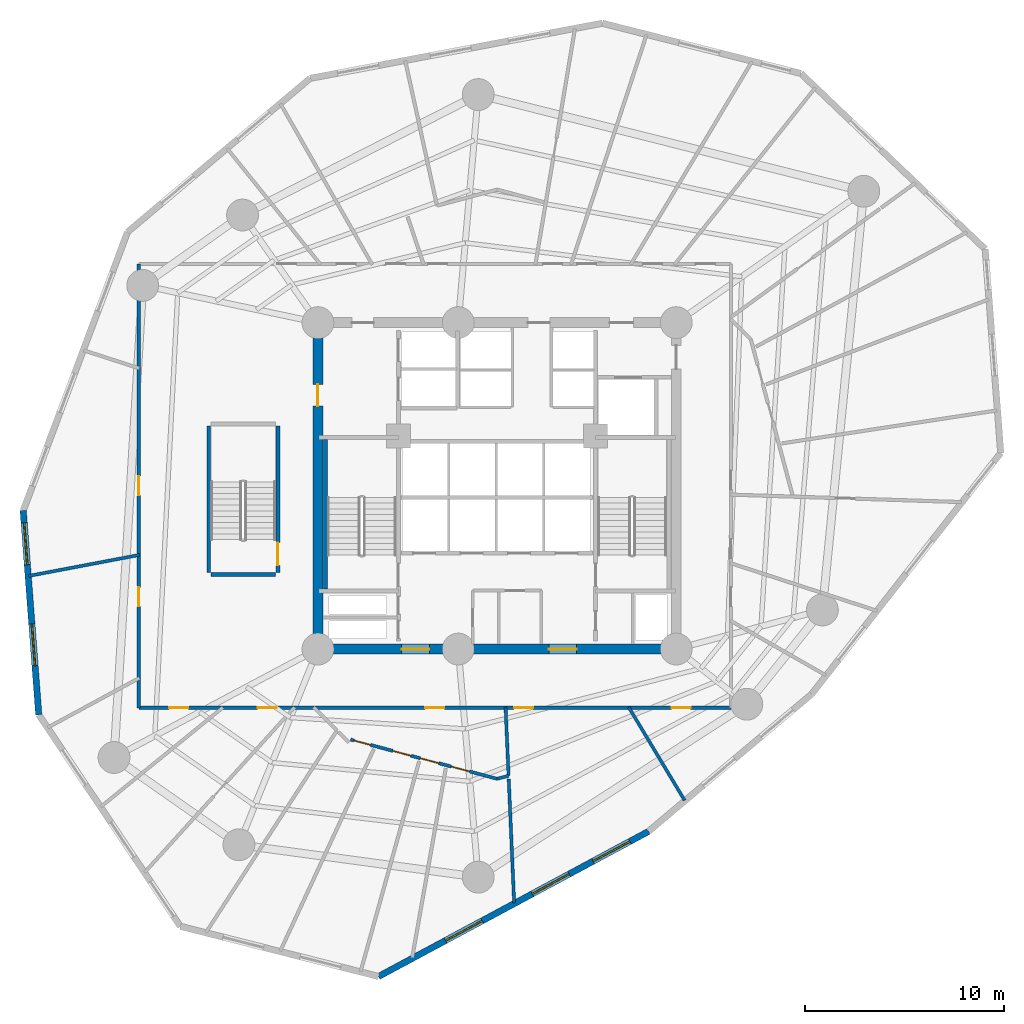
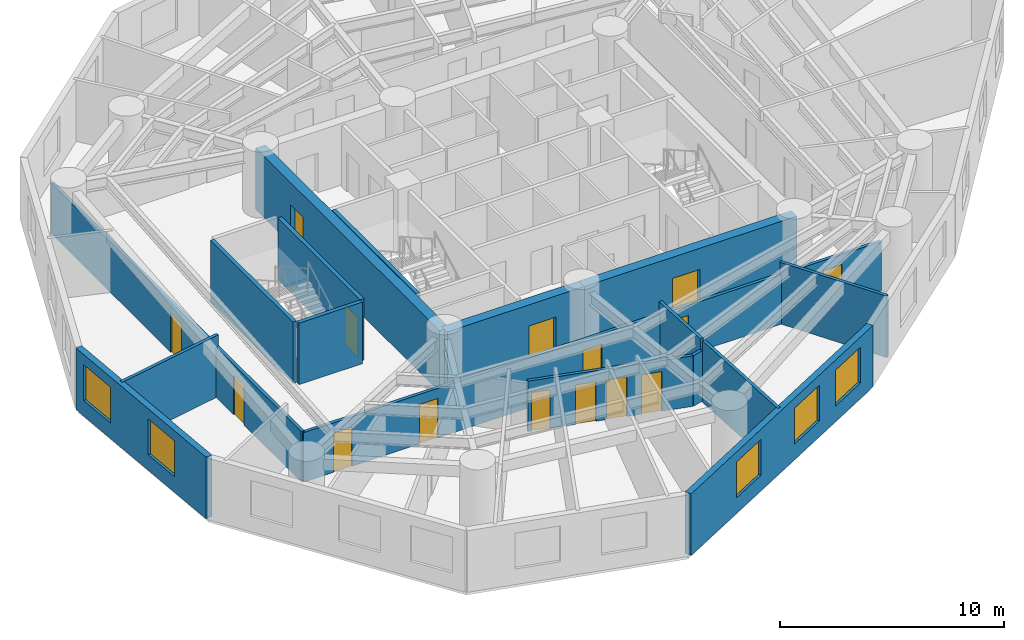
# One storey, part 3 of 8: 17 walls, 15 doors, 5 windows, 20 openings.
"""IFC4 building model written with IfcOpenShell, lengths in metres."""

from ifc_helpers import new_model, si_unit, direction, frame, frame_2d, origin, origin_with_axes, place, context, subcontext, project, spatial, rectangle, extrude, source, transform, mapped, material, layer, layer_set, type_object, element, fill, save


model = new_model("IFC4")

# Units and contexts
model_context = context("Model", 3, precision=1e-05, world=origin(), true_north=direction((0.0, 1.0)))
body_context = subcontext(model_context, "Body", "Model", "MODEL_VIEW")
ifc_project = project(units=[si_unit("LENGTHUNIT", "METRE"), si_unit("AREAUNIT", "SQUARE_METRE"), si_unit("VOLUMEUNIT", "CUBIC_METRE"), si_unit("PLANEANGLEUNIT", "RADIAN"), si_unit("MASSUNIT", "GRAM", prefix="KILO")], contexts=[model_context])

# Site, building, storey
site_placement = place(None, origin())
site = spatial("IfcSite", under=ifc_project, at=site_placement, CompositionType="ELEMENT")
building_placement = place(site_placement, origin())
building = spatial("IfcBuilding", under=site, at=building_placement, Name="Karkom Vertical University and Central Library", CompositionType="ELEMENT")
storey_placement = place(building_placement, frame((0.0, 0.0, 58.89990234375)))
storey = spatial("IfcBuildingStorey", under=building, at=storey_placement, Name="L15", CompositionType="ELEMENT", Elevation=58.89990234375)

# Wall, openings, windows
ifc_material_1 = material(Name="Brick-faced precast concrete C45/55", Category="masonry")
ifc_layer_1 = layer(ifc_material_1, 0.320068359375)
ifc_layer_set_1 = layer_set([ifc_layer_1], Name="Brick-faced precast concrete C45/55")
wall_type_1 = type_object("IfcWallType", Name="ENV-WL-BRK-320", PredefinedType="SOLIDWALL", material=ifc_layer_set_1)
wall_1_placement = place(storey_placement, frame((4.69287109375, 25.26416015625, 0.0), z_axis=(0.0, 0.0, 1.0), x_axis=(0.075972762461, -0.997109893324, 0.0)))
wall_1 = element("IfcWall", 1, at=wall_1_placement, inside=storey, type_object=wall_type_1, Name="Level 15 Brick-Faced Precast Facade Wall 03", PredefinedType="SOLIDWALL", context=body_context, shape_type="SweptSolid", body=[
    extrude(rectangle(XDim=10.29296875, YDim=0.320068359375, at=frame_2d((5.146484375, 0.0))), origin(), (0.0, 0.0, 1.0), 3.35009765625),
])
opening_1_placement = place(wall_1_placement, frame((0.628662109375, 0.0, 0.85009765625)))
opening_1 = element("IfcOpeningElement", 2, at=opening_1_placement, cuts=wall_1, Name="Opening WN-03", PredefinedType="OPENING", context=body_context, shape_type="SweptSolid", body=[
    extrude(rectangle(XDim=2.10009765625, YDim=1.949951171875, at=frame_2d((1.050048828125, 0.97509765625))), frame((0.0, 0.169921875, 0.0), z_axis=(0.0, -1.0, 0.0), x_axis=(1.0, 0.0, 0.0)), (0.0, 0.0, 1.0), 0.340087890625),
])
opening_2_placement = place(wall_1_placement, frame((5.715087890625, 0.0, 0.85009765625)))
opening_2 = element("IfcOpeningElement", 3, at=opening_2_placement, cuts=wall_1, Name="Opening WN-03", PredefinedType="OPENING", context=body_context, shape_type="SweptSolid", body=[
    extrude(rectangle(XDim=2.10009765625, YDim=1.949951171875, at=frame_2d((1.050048828125, 0.97509765625))), frame((0.0, 0.169921875, 0.0), z_axis=(0.0, -1.0, 0.0), x_axis=(1.0, 0.0, 0.0)), (0.0, 0.0, 1.0), 0.340087890625),
])
ifc_material_2 = material(Name="Aluminium thermal-break frame with solar-control IGU", Category="aluminium")
window_type = type_object("IfcWindowType", Name="ENV-WIN-WN-03", PartitioningType="SINGLE_PANEL", PredefinedType="WINDOW", material=ifc_material_2)
shared_shape_1 = source(origin_with_axes(), body_context, "Body", "SweptSolid", [
    extrude(rectangle(XDim=2.10009765625, YDim=1.949951171875, at=frame_2d((1.050048828125, 0.97509765625))), frame((0.0, 0.030029296875, 0.0), z_axis=(0.0, -1.0, 0.0), x_axis=(1.0, 0.0, 0.0)), (0.0, 0.0, 1.0), 0.06005859375),
])
window_1_placement = place(opening_1_placement, origin())
window_1 = element("IfcWindow", 4, at=window_1_placement, inside=storey, type_object=window_type, Name="Level 15 Punched Window 3.1", OverallHeight=1.949951171875, OverallWidth=2.10009765625, PartitioningType="SINGLE_PANEL", PredefinedType="WINDOW", context=body_context, shape_type="MappedRepresentation", body=[
    mapped(shared_shape_1, transform((0.0, 0.0, 0.0), scale=1.0)),
])
fill(opening_1, window_1)
window_2_placement = place(opening_2_placement, origin())
window_2 = element("IfcWindow", 5, at=window_2_placement, inside=storey, type_object=window_type, Name="Level 15 Punched Window 3.2", OverallHeight=1.949951171875, OverallWidth=2.10009765625, PartitioningType="SINGLE_PANEL", PredefinedType="WINDOW", context=body_context, shape_type="MappedRepresentation", body=[
    mapped(shared_shape_1, transform((0.0, 0.0, 0.0), scale=1.0)),
])
fill(opening_2, window_2)

wall_2_placement = place(storey_placement, frame((22.54541015625, 1.85009765625, 0.0), z_axis=(0.0, 0.0, 1.0), x_axis=(0.880851583741, 0.473392529959, 0.0)))
wall_2 = element("IfcWall", 6, at=wall_2_placement, inside=storey, type_object=wall_type_1, Name="Level 15 Brick-Faced Precast Facade Wall 06", PredefinedType="SOLIDWALL", context=body_context, shape_type="SweptSolid", body=[
    extrude(rectangle(XDim=15.400146484375, YDim=0.320068359375, at=frame_2d((7.7001953125, 0.0))), origin(), (0.0, 0.0, 1.0), 3.35009765625),
])
opening_3_placement = place(wall_2_placement, frame((3.813720703125, 0.0, 0.85009765625)))
opening_3 = element("IfcOpeningElement", 7, at=opening_3_placement, cuts=wall_2, Name="Opening WN-03", PredefinedType="OPENING", context=body_context, shape_type="SweptSolid", body=[
    extrude(rectangle(XDim=2.10009765625, YDim=1.949951171875, at=frame_2d((1.050048828125, 0.97509765625))), frame((0.0, 0.169921875, 0.0), z_axis=(0.0, -1.0, 0.0), x_axis=(1.0, 0.0, 0.0)), (0.0, 0.0, 1.0), 0.340087890625),
])
opening_4_placement = place(wall_2_placement, frame((8.7685546875, 0.0, 0.85009765625)))
opening_4 = element("IfcOpeningElement", 8, at=opening_4_placement, cuts=wall_2, Name="Opening WN-03", PredefinedType="OPENING", context=body_context, shape_type="SweptSolid", body=[
    extrude(rectangle(XDim=2.10009765625, YDim=1.949951171875, at=frame_2d((1.050048828125, 0.97509765625))), frame((0.0, 0.169921875, 0.0), z_axis=(0.0, -1.0, 0.0), x_axis=(1.0, 0.0, 0.0)), (0.0, 0.0, 1.0), 0.340087890625),
])
opening_5_placement = place(wall_2_placement, frame((12.236083984375, 0.0, 0.85009765625)))
opening_5 = element("IfcOpeningElement", 9, at=opening_5_placement, cuts=wall_2, Name="Opening WN-03", PredefinedType="OPENING", context=body_context, shape_type="SweptSolid", body=[
    extrude(rectangle(XDim=2.10009765625, YDim=1.949951171875, at=frame_2d((1.050048828125, 0.97509765625))), frame((0.0, 0.169921875, 0.0), z_axis=(0.0, -1.0, 0.0), x_axis=(1.0, 0.0, 0.0)), (0.0, 0.0, 1.0), 0.340087890625),
])
window_3_placement = place(opening_3_placement, origin())
window_3 = element("IfcWindow", 10, at=window_3_placement, inside=storey, type_object=window_type, Name="Level 15 Punched Window 6.1", OverallHeight=1.949951171875, OverallWidth=2.10009765625, PartitioningType="SINGLE_PANEL", PredefinedType="WINDOW", context=body_context, shape_type="MappedRepresentation", body=[
    mapped(shared_shape_1, transform((0.0, 0.0, 0.0), scale=1.0)),
])
fill(opening_3, window_3)
window_4_placement = place(opening_4_placement, origin())
window_4 = element("IfcWindow", 11, at=window_4_placement, inside=storey, type_object=window_type, Name="Level 15 Punched Window 6.2", OverallHeight=1.949951171875, OverallWidth=2.10009765625, PartitioningType="SINGLE_PANEL", PredefinedType="WINDOW", context=body_context, shape_type="MappedRepresentation", body=[
    mapped(shared_shape_1, transform((0.0, 0.0, 0.0), scale=1.0)),
])
fill(opening_4, window_4)
window_5_placement = place(opening_5_placement, origin())
window_5 = element("IfcWindow", 12, at=window_5_placement, inside=storey, type_object=window_type, Name="Level 15 Punched Window 6.3", OverallHeight=1.949951171875, OverallWidth=2.10009765625, PartitioningType="SINGLE_PANEL", PredefinedType="WINDOW", context=body_context, shape_type="MappedRepresentation", body=[
    mapped(shared_shape_1, transform((0.0, 0.0, 0.0), scale=1.0)),
])
fill(opening_5, window_5)

# Wall, openings, doors
ifc_material_3 = material(Name="Insulated metal-stud drywall 160mm", Category="gypsum")
ifc_layer_2 = layer(ifc_material_3, 0.159912109375)
ifc_layer_set_2 = layer_set([ifc_layer_2], Name="Insulated metal-stud drywall 160mm")
wall_type_2 = type_object("IfcWallType", Name="INT-WL-COR-160", PredefinedType="PARTITIONING", material=ifc_layer_set_2)
wall_3_placement = place(storey_placement, frame((40.25, 15.35009765625, 0.0), z_axis=(0.0, 0.0, 1.0), x_axis=(-1.0, 0.0, 0.0)))
wall_3 = element("IfcWall", 13, at=wall_3_placement, inside=storey, type_object=wall_type_2, Name="Level 15 Interior Partition Wall L15-CORW-CW-001", PredefinedType="PARTITIONING", context=body_context, shape_type="SweptSolid", body=[
    extrude(rectangle(XDim=29.75, YDim=0.159912109375, at=frame_2d((14.875, 0.0))), origin(), (0.0, 0.0, 1.0), 2.7001953125),
])
opening_6_placement = place(wall_3_placement, frame((27.2626953125, 0.0, 0.0)))
opening_6 = element("IfcOpeningElement", 14, at=opening_6_placement, cuts=wall_3, Name="Opening FD-RM2", PredefinedType="OPENING", context=body_context, shape_type="SweptSolid", body=[
    extrude(rectangle(XDim=0.9599609375, YDim=2.14990234375, at=frame_2d((0.47998046875, 1.074951171875))), frame((0.0, 0.08984375, 0.0), z_axis=(0.0, -1.0, 0.0), x_axis=(1.0, 0.0, 0.0)), (0.0, 0.0, 1.0), 0.179931640625),
])
opening_7_placement = place(wall_3_placement, frame((22.827392578125, 0.0, 0.0)))
opening_7 = element("IfcOpeningElement", 15, at=opening_7_placement, cuts=wall_3, Name="Opening D-RM1", PredefinedType="OPENING", context=body_context, shape_type="SweptSolid", body=[
    extrude(rectangle(XDim=0.949951171875, YDim=2.14990234375, at=frame_2d((0.47509765625, 1.074951171875))), frame((0.0, 0.08984375, 0.0), z_axis=(0.0, -1.0, 0.0), x_axis=(1.0, 0.0, 0.0)), (0.0, 0.0, 1.0), 0.179931640625),
])
opening_8_placement = place(wall_3_placement, frame((14.39990234375, 0.0, 0.0)))
opening_8 = element("IfcOpeningElement", 16, at=opening_8_placement, cuts=wall_3, Name="Opening FD-RM2", PredefinedType="OPENING", context=body_context, shape_type="SweptSolid", body=[
    extrude(rectangle(XDim=0.9599609375, YDim=2.14990234375, at=frame_2d((0.47998046875, 1.074951171875))), frame((0.0, 0.08984375, 0.0), z_axis=(0.0, -1.0, 0.0), x_axis=(1.0, 0.0, 0.0)), (0.0, 0.0, 1.0), 0.179931640625),
])
opening_9_placement = place(wall_3_placement, frame((9.9375, 0.0, 0.0)))
opening_9 = element("IfcOpeningElement", 17, at=opening_9_placement, cuts=wall_3, Name="Opening FD-RM2", PredefinedType="OPENING", context=body_context, shape_type="SweptSolid", body=[
    extrude(rectangle(XDim=0.9599609375, YDim=2.14990234375, at=frame_2d((0.47998046875, 1.074951171875))), frame((0.0, 0.08984375, 0.0), z_axis=(0.0, -1.0, 0.0), x_axis=(1.0, 0.0, 0.0)), (0.0, 0.0, 1.0), 0.179931640625),
])
opening_10_placement = place(wall_3_placement, frame((2.033203125, 0.0, 0.0)))
opening_10 = element("IfcOpeningElement", 18, at=opening_10_placement, cuts=wall_3, Name="Opening D-RM1", PredefinedType="OPENING", context=body_context, shape_type="SweptSolid", body=[
    extrude(rectangle(XDim=0.949951171875, YDim=2.14990234375, at=frame_2d((0.47509765625, 1.074951171875))), frame((0.0, 0.08984375, 0.0), z_axis=(0.0, -1.0, 0.0), x_axis=(1.0, 0.0, 0.0)), (0.0, 0.0, 1.0), 0.179931640625),
])
ifc_material_4 = material(Name="Fire-rated oak veneer door", Category="wood")
door_type_1 = type_object("IfcDoorType", Name="INT-DR-FRM2", OperationType="NOTDEFINED", PredefinedType="DOOR", material=ifc_material_4)
shared_shape_2 = source(origin_with_axes(), body_context, "Body", "SweptSolid", [
    extrude(rectangle(XDim=0.9599609375, YDim=2.14990234375, at=frame_2d((0.47998046875, 1.074951171875))), frame((0.0, 0.02490234375, 0.0), z_axis=(0.0, -1.0, 0.0), x_axis=(1.0, 0.0, 0.0)), (0.0, 0.0, 1.0), 0.050048828125),
])
door_1_placement = place(opening_6_placement, origin())
door_1 = element("IfcDoor", 19, at=door_1_placement, inside=storey, type_object=door_type_1, Name="Level 15 Room Entry Door 010", OperationType="SINGLE_SWING_RIGHT", OverallHeight=2.14990234375, OverallWidth=0.9599609375, PredefinedType="DOOR", context=body_context, shape_type="MappedRepresentation", body=[
    mapped(shared_shape_2, transform((0.0, 0.0, 0.0), scale=1.0)),
])
fill(opening_6, door_1)
door_2_placement = place(opening_8_placement, origin())
door_2 = element("IfcDoor", 20, at=door_2_placement, inside=storey, type_object=door_type_1, Name="Level 15 Room Entry Door 060", OperationType="SINGLE_SWING_RIGHT", OverallHeight=2.14990234375, OverallWidth=0.9599609375, PredefinedType="DOOR", context=body_context, shape_type="MappedRepresentation", body=[
    mapped(shared_shape_2, transform((0.0, 0.0, 0.0), scale=1.0)),
])
fill(opening_8, door_2)
door_3_placement = place(opening_9_placement, origin())
door_3 = element("IfcDoor", 21, at=door_3_placement, inside=storey, type_object=door_type_1, Name="Level 15 Room Entry Door 090", OperationType="SINGLE_SWING_LEFT", OverallHeight=2.14990234375, OverallWidth=0.9599609375, PredefinedType="DOOR", context=body_context, shape_type="MappedRepresentation", body=[
    mapped(shared_shape_2, transform((0.0, 0.0, 0.0), scale=1.0)),
])
fill(opening_9, door_3)
ifc_material_5 = material(Name="Solid-core oak veneer door", Category="wood")
door_type_2 = type_object("IfcDoorType", Name="INT-DR-RM1", OperationType="NOTDEFINED", PredefinedType="DOOR", material=ifc_material_5)
shared_shape_3 = source(origin_with_axes(), body_context, "Body", "SweptSolid", [
    extrude(rectangle(XDim=0.949951171875, YDim=2.14990234375, at=frame_2d((0.47509765625, 1.074951171875))), frame((0.0, 0.02490234375, 0.0), z_axis=(0.0, -1.0, 0.0), x_axis=(1.0, 0.0, 0.0)), (0.0, 0.0, 1.0), 0.050048828125),
])
door_4_placement = place(opening_7_placement, origin())
door_4 = element("IfcDoor", 22, at=door_4_placement, inside=storey, type_object=door_type_2, Name="Level 15 Room Entry Door 020", OperationType="SINGLE_SWING_LEFT", OverallHeight=2.14990234375, OverallWidth=0.949951171875, PredefinedType="DOOR", context=body_context, shape_type="MappedRepresentation", body=[
    mapped(shared_shape_3, transform((0.0, 0.0, 0.0), scale=1.0)),
])
fill(opening_7, door_4)
door_5_placement = place(opening_10_placement, origin())
door_5 = element("IfcDoor", 23, at=door_5_placement, inside=storey, type_object=door_type_2, Name="Level 15 Room Entry Door 100", OperationType="SINGLE_SWING_RIGHT", OverallHeight=2.14990234375, OverallWidth=0.949951171875, PredefinedType="DOOR", context=body_context, shape_type="MappedRepresentation", body=[
    mapped(shared_shape_3, transform((0.0, 0.0, 0.0), scale=1.0)),
])
fill(opening_10, door_5)

wall_4_placement = place(storey_placement, frame((10.5, 15.35009765625, 0.0), z_axis=(0.0, 0.0, 1.0), x_axis=(0.0, 1.0, 0.0)))
wall_4 = element("IfcWall", 24, at=wall_4_placement, inside=storey, type_object=wall_type_2, Name="Level 15 Interior Partition Wall L15-CORW-CW-002", PredefinedType="PARTITIONING", context=body_context, shape_type="SweptSolid", body=[
    extrude(rectangle(XDim=22.2998046875, YDim=0.159912109375, at=frame_2d((11.14990234375, 0.0))), origin(), (0.0, 0.0, 1.0), 2.75),
])
opening_11_placement = place(wall_4_placement, frame((5.10009765625, 0.0, 0.0)))
opening_11 = element("IfcOpeningElement", 25, at=opening_11_placement, cuts=wall_4, Name="Opening D-RM1", PredefinedType="OPENING", context=body_context, shape_type="SweptSolid", body=[
    extrude(rectangle(XDim=0.949951171875, YDim=2.14990234375, at=frame_2d((0.47509765625, 1.074951171875))), frame((0.0, 0.08984375, 0.0), z_axis=(0.0, -1.0, 0.0), x_axis=(1.0, 0.0, 0.0)), (0.0, 0.0, 1.0), 0.179931640625),
])
opening_12_placement = place(wall_4_placement, frame((10.675048828125, 0.0, 0.0)))
opening_12 = element("IfcOpeningElement", 26, at=opening_12_placement, cuts=wall_4, Name="Opening FD-RM2", PredefinedType="OPENING", context=body_context, shape_type="SweptSolid", body=[
    extrude(rectangle(XDim=0.9599609375, YDim=2.14990234375, at=frame_2d((0.47998046875, 1.074951171875))), frame((0.0, 0.08984375, 0.0), z_axis=(0.0, -1.0, 0.0), x_axis=(1.0, 0.0, 0.0)), (0.0, 0.0, 1.0), 0.179931640625),
])
door_6_placement = place(opening_12_placement, origin())
door_6 = element("IfcDoor", 27, at=door_6_placement, inside=storey, type_object=door_type_1, Name="Level 15 Room Entry Door 270", OperationType="SINGLE_SWING_RIGHT", OverallHeight=2.14990234375, OverallWidth=0.9599609375, PredefinedType="DOOR", context=body_context, shape_type="MappedRepresentation", body=[
    mapped(shared_shape_2, transform((0.0, 0.0, 0.0), scale=1.0)),
])
fill(opening_12, door_6)
door_7_placement = place(opening_11_placement, origin())
door_7 = element("IfcDoor", 28, at=door_7_placement, inside=storey, type_object=door_type_2, Name="Level 15 Room Entry Door 000", OperationType="SINGLE_SWING_LEFT", OverallHeight=2.14990234375, OverallWidth=0.949951171875, PredefinedType="DOOR", context=body_context, shape_type="MappedRepresentation", body=[
    mapped(shared_shape_3, transform((0.0, 0.0, 0.0), scale=1.0)),
])
fill(opening_11, door_7)

wall_5_placement = place(storey_placement, frame((28.5, 11.78271484375, 0.0), z_axis=(0.0, 0.0, 1.0), x_axis=(-0.965919870225, 0.258841272413, 0.0)))
wall_5 = element("IfcWall", 29, at=wall_5_placement, inside=storey, type_object=wall_type_2, Name="Level 15 Interior Partition Wall L15-PW-013", PredefinedType="PARTITIONING", context=body_context, shape_type="SweptSolid", body=[
    extrude(rectangle(XDim=7.6181640625, YDim=0.159912109375, at=frame_2d((3.80908203125, 0.0))), origin(), (0.0, 0.0, 1.0), 2.75),
])
opening_13_placement = place(wall_5_placement, frame((6.584228515625, 0.0, 0.0)))
opening_13 = element("IfcOpeningElement", 30, at=opening_13_placement, cuts=wall_5, Name="Opening D-BATH", PredefinedType="OPENING", context=body_context, shape_type="SweptSolid", body=[
    extrude(rectangle(XDim=0.860107421875, YDim=2.10009765625, at=frame_2d((0.43017578125, 1.050048828125))), frame((0.0, 0.08984375, 0.0), z_axis=(0.0, -1.0, 0.0), x_axis=(1.0, 0.0, 0.0)), (0.0, 0.0, 1.0), 0.179931640625),
])
opening_14_placement = place(wall_5_placement, frame((4.476806640625, 0.0, 0.0)))
opening_14 = element("IfcOpeningElement", 31, at=opening_14_placement, cuts=wall_5, Name="Opening D-RM1", PredefinedType="OPENING", context=body_context, shape_type="SweptSolid", body=[
    extrude(rectangle(XDim=0.949951171875, YDim=2.14990234375, at=frame_2d((0.47509765625, 1.074951171875))), frame((0.0, 0.08984375, 0.0), z_axis=(0.0, -1.0, 0.0), x_axis=(1.0, 0.0, 0.0)), (0.0, 0.0, 1.0), 0.179931640625),
])
opening_15_placement = place(wall_5_placement, frame((3.044189453125, 0.0, 0.0)))
opening_15 = element("IfcOpeningElement", 32, at=opening_15_placement, cuts=wall_5, Name="Opening D-RM1", PredefinedType="OPENING", context=body_context, shape_type="SweptSolid", body=[
    extrude(rectangle(XDim=0.949951171875, YDim=2.14990234375, at=frame_2d((0.47509765625, 1.074951171875))), frame((0.0, 0.08984375, 0.0), z_axis=(0.0, -1.0, 0.0), x_axis=(1.0, 0.0, 0.0)), (0.0, 0.0, 1.0), 0.179931640625),
])
opening_16_placement = place(wall_5_placement, frame((1.429443359375, 0.0, 0.0)))
opening_16 = element("IfcOpeningElement", 33, at=opening_16_placement, cuts=wall_5, Name="Opening D-RM1", PredefinedType="OPENING", context=body_context, shape_type="SweptSolid", body=[
    extrude(rectangle(XDim=0.949951171875, YDim=2.14990234375, at=frame_2d((0.47509765625, 1.074951171875))), frame((0.0, 0.08984375, 0.0), z_axis=(0.0, -1.0, 0.0), x_axis=(1.0, 0.0, 0.0)), (0.0, 0.0, 1.0), 0.179931640625),
])
ifc_material_6 = material(Name="Moisture-resistant oak door", Category="wood")
door_type_3 = type_object("IfcDoorType", Name="INT-DR-BATH", OperationType="NOTDEFINED", PredefinedType="DOOR", material=ifc_material_6)
shared_shape_4 = source(origin_with_axes(), body_context, "Body", "SweptSolid", [
    extrude(rectangle(XDim=0.860107421875, YDim=2.10009765625, at=frame_2d((0.43017578125, 1.050048828125))), frame((0.0, 0.02490234375, 0.0), z_axis=(0.0, -1.0, 0.0), x_axis=(1.0, 0.0, 0.0)), (0.0, 0.0, 1.0), 0.050048828125),
])
door_8_placement = place(opening_13_placement, origin())
door_8 = element("IfcDoor", 34, at=door_8_placement, inside=storey, type_object=door_type_3, Name="Level 15 Room Entry Door 040", OperationType="SINGLE_SWING_RIGHT", OverallHeight=2.10009765625, OverallWidth=0.860107421875, PredefinedType="DOOR", context=body_context, shape_type="MappedRepresentation", body=[
    mapped(shared_shape_4, transform((0.0, 0.0, 0.0), scale=1.0)),
])
fill(opening_13, door_8)
door_9_placement = place(opening_14_placement, origin())
door_9 = element("IfcDoor", 35, at=door_9_placement, inside=storey, type_object=door_type_2, Name="Level 15 Room Entry Door 050", OperationType="SINGLE_SWING_LEFT", OverallHeight=2.14990234375, OverallWidth=0.949951171875, PredefinedType="DOOR", context=body_context, shape_type="MappedRepresentation", body=[
    mapped(shared_shape_3, transform((0.0, 0.0, 0.0), scale=1.0)),
])
fill(opening_14, door_9)
door_10_placement = place(opening_15_placement, origin())
door_10 = element("IfcDoor", 36, at=door_10_placement, inside=storey, type_object=door_type_2, Name="Level 15 Room Entry Door 070", OperationType="SINGLE_SWING_RIGHT", OverallHeight=2.14990234375, OverallWidth=0.949951171875, PredefinedType="DOOR", context=body_context, shape_type="MappedRepresentation", body=[
    mapped(shared_shape_3, transform((0.0, 0.0, 0.0), scale=1.0)),
])
fill(opening_15, door_10)
door_11_placement = place(opening_16_placement, origin())
door_11 = element("IfcDoor", 37, at=door_11_placement, inside=storey, type_object=door_type_2, Name="Level 15 Room Entry Door 080", OperationType="SINGLE_SWING_LEFT", OverallHeight=2.14990234375, OverallWidth=0.949951171875, PredefinedType="DOOR", context=body_context, shape_type="MappedRepresentation", body=[
    mapped(shared_shape_3, transform((0.0, 0.0, 0.0), scale=1.0)),
])
fill(opening_16, door_11)

# Walls
wall_6_placement = place(storey_placement, frame((29.084228515625, 11.773681640625, 0.0), z_axis=(0.0, 0.0, 1.0), x_axis=(0.043709167171, -0.999044297669, 0.0)))
element("IfcWall", 38, at=wall_6_placement, inside=storey, type_object=wall_type_2, Name="Level 15 Interior Partition Wall L15-PW-017", PredefinedType="PARTITIONING", context=body_context, shape_type="SweptSolid", body=[
    extrude(rectangle(XDim=6.2333984375, YDim=0.159912109375, at=frame_2d((3.11669921875, 0.0))), origin(), (0.0, 0.0, 1.0), 3.35009765625),
])
wall_7_placement = place(storey_placement, frame((4.968994140625, 21.974609375, 0.0), z_axis=(0.0, 0.0, 1.0), x_axis=(0.982479869868, 0.186368734784, 0.0)))
element("IfcWall", 39, at=wall_7_placement, inside=storey, type_object=wall_type_2, Name="Level 15 Interior Partition Wall L15-PW-002", PredefinedType="PARTITIONING", context=body_context, shape_type="SweptSolid", body=[
    extrude(rectangle(XDim=5.6748046875, YDim=0.159912109375, at=frame_2d((2.83740234375, 0.0))), origin(), (0.0, 0.0, 1.0), 3.35009765625),
])
wall_8_placement = place(storey_placement, frame((35.114013671875, 15.375732421875, 0.0), z_axis=(0.0, 0.0, 1.0), x_axis=(0.515028754831, -0.857172900702, 0.0)))
element("IfcWall", 40, at=wall_8_placement, inside=storey, type_object=wall_type_2, Name="Level 15 Interior Partition Wall L15-PW-018", PredefinedType="PARTITIONING", context=body_context, shape_type="SweptSolid", body=[
    extrude(rectangle(XDim=5.455078125, YDim=0.159912109375, at=frame_2d((2.7275390625, 0.0))), origin(), (0.0, 0.0, 1.0), 3.35009765625),
])
wall_9_placement = place(storey_placement, frame((28.926513671875, 15.3798828125, 0.0), z_axis=(0.0, 0.0, 1.0), x_axis=(0.043717029745, -0.999043953643, 0.0)))
element("IfcWall", 41, at=wall_9_placement, inside=storey, type_object=wall_type_2, Name="Level 15 Interior Partition Wall L15-PW-015", PredefinedType="PARTITIONING", context=body_context, shape_type="SweptSolid", body=[
    extrude(rectangle(XDim=3.445556640625, YDim=0.159912109375, at=frame_2d((1.72265625, 0.0))), origin(), (0.0, 0.0, 1.0), 3.35009765625),
])
wall_10_placement = place(storey_placement, frame((29.0771484375, 11.9375, 0.0), z_axis=(0.0, 0.0, 1.0), x_axis=(-0.96586777343, -0.259035604211, 0.0)))
element("IfcWall", 42, at=wall_10_placement, inside=storey, type_object=wall_type_2, Name="Level 15 Interior Partition Wall L15-PW-014", PredefinedType="PARTITIONING", context=body_context, shape_type="SweptSolid", body=[
    extrude(rectangle(XDim=0.59765625, YDim=0.159912109375, at=frame_2d((0.298828125, 0.0))), origin(), (0.0, 0.0, 1.0), 2.75),
])

# Wall, opening, door
ifc_material_7 = material(Name="Concrete C50/60", Category="concrete")
ifc_layer_3 = layer(ifc_material_7, 0.5)
ifc_layer_set_3 = layer_set([ifc_layer_3], Name="Concrete C50/60")
wall_type_3 = type_object("IfcWallType", Name="STR-WL-CW-500", PredefinedType="SHEAR", material=ifc_layer_set_3)
wall_11_placement = place(storey_placement, frame((19.5, 18.300048828125, 0.0), z_axis=(0.0, 0.0, 1.0), x_axis=(1.0, 0.0, 0.0)))
wall_11 = element("IfcWall", 43, at=wall_11_placement, inside=storey, type_object=wall_type_3, Name="Level 15 Central Core Shear Wall SW1", PredefinedType="SHEAR", context=body_context, shape_type="SweptSolid", body=[
    extrude(rectangle(XDim=7.050048828125, YDim=0.5, at=frame_2d((3.52490234375, 0.0))), origin(), (0.0, 0.0, 1.0), 3.35009765625),
])
opening_17_placement = place(wall_11_placement, frame((4.199951171875, 0.0, 0.0)))
opening_17 = element("IfcOpeningElement", 44, at=opening_17_placement, cuts=wall_11, Name="Opening FD-CLB", PredefinedType="OPENING", context=body_context, shape_type="SweptSolid", body=[
    extrude(rectangle(XDim=1.39990234375, YDim=2.199951171875, at=frame_2d((0.699951171875, 1.10009765625))), frame((0.0, 0.260009765625, 0.0), z_axis=(0.0, -1.0, 0.0), x_axis=(1.0, 0.0, 0.0)), (0.0, 0.0, 1.0), 0.52001953125),
])
ifc_material_8 = material(Name="Painted steel fire door", Category="steel")
door_type_4 = type_object("IfcDoorType", Name="INT-DR-CLB", OperationType="DOUBLE_DOOR_SINGLE_SWING", PredefinedType="DOOR", material=ifc_material_8)
shared_shape_5 = source(origin_with_axes(), body_context, "Body", "SweptSolid", [
    extrude(rectangle(XDim=1.39990234375, YDim=2.199951171875, at=frame_2d((0.699951171875, 1.10009765625))), frame((0.0, 0.02490234375, 0.0), z_axis=(0.0, -1.0, 0.0), x_axis=(1.0, 0.0, 0.0)), (0.0, 0.0, 1.0), 0.050048828125),
])
door_12_placement = place(opening_17_placement, origin())
door_12 = element("IfcDoor", 45, at=door_12_placement, inside=storey, type_object=door_type_4, Name="Level 15 South Core Lobby West Exit Door", OperationType="DOUBLE_DOOR_SINGLE_SWING", OverallHeight=2.199951171875, OverallWidth=1.39990234375, PredefinedType="DOOR", context=body_context, shape_type="MappedRepresentation", body=[
    mapped(shared_shape_5, transform((0.0, 0.0, 0.0), scale=1.0)),
])
fill(opening_17, door_12)

wall_12_placement = place(storey_placement, frame((26.550048828125, 18.300048828125, 0.0), z_axis=(0.0, 0.0, 1.0), x_axis=(1.0, 0.0, 0.0)))
wall_12 = element("IfcWall", 46, at=wall_12_placement, inside=storey, type_object=wall_type_3, Name="Level 15 Central Core Shear Wall SW2", PredefinedType="SHEAR", context=body_context, shape_type="SweptSolid", body=[
    extrude(rectangle(XDim=10.949951171875, YDim=0.5, at=frame_2d((5.47509765625, 0.0))), origin(), (0.0, 0.0, 1.0), 3.35009765625),
])
opening_18_placement = place(wall_12_placement, frame((4.550048828125, 0.0, 0.0)))
opening_18 = element("IfcOpeningElement", 47, at=opening_18_placement, cuts=wall_12, Name="Opening FD-CLB", PredefinedType="OPENING", context=body_context, shape_type="SweptSolid", body=[
    extrude(rectangle(XDim=1.39990234375, YDim=2.199951171875, at=frame_2d((0.699951171875, 1.10009765625))), frame((0.0, 0.260009765625, 0.0), z_axis=(0.0, -1.0, 0.0), x_axis=(1.0, 0.0, 0.0)), (0.0, 0.0, 1.0), 0.52001953125),
])
door_13_placement = place(opening_18_placement, origin())
door_13 = element("IfcDoor", 48, at=door_13_placement, inside=storey, type_object=door_type_4, Name="Level 15 South Core Lobby East Exit Door", OperationType="DOUBLE_DOOR_SINGLE_SWING", OverallHeight=2.199951171875, OverallWidth=1.39990234375, PredefinedType="DOOR", context=body_context, shape_type="MappedRepresentation", body=[
    mapped(shared_shape_5, transform((0.0, 0.0, 0.0), scale=1.0)),
])
fill(opening_18, door_13)

wall_13_placement = place(storey_placement, frame((19.5, 34.699951171875, 0.0), z_axis=(0.0, 0.0, 1.0), x_axis=(0.0, -1.0, 0.0)))
wall_13 = element("IfcWall", 49, at=wall_13_placement, inside=storey, type_object=wall_type_3, Name="Level 15 Central Core Shear Wall WW", PredefinedType="SHEAR", context=body_context, shape_type="SweptSolid", body=[
    extrude(rectangle(XDim=16.39990234375, YDim=0.5, at=frame_2d((8.199951171875, 0.0))), origin(), (0.0, 0.0, 1.0), 3.35009765625),
])
opening_19_placement = place(wall_13_placement, frame((3.10009765625, 0.0, 0.0)))
opening_19 = element("IfcOpeningElement", 50, at=opening_19_placement, cuts=wall_13, Name="Opening FD-FFL", PredefinedType="OPENING", context=body_context, shape_type="SweptSolid", body=[
    extrude(rectangle(XDim=1.10009765625, YDim=2.14990234375, at=frame_2d((0.550048828125, 1.074951171875))), frame((0.0, 0.260009765625, 0.0), z_axis=(0.0, -1.0, 0.0), x_axis=(1.0, 0.0, 0.0)), (0.0, 0.0, 1.0), 0.52001953125),
])
ifc_material_9 = material(Name="Painted steel smoke-seal fire door", Category="steel")
door_type_5 = type_object("IfcDoorType", Name="INT-DR-FFL", OperationType="NOTDEFINED", PredefinedType="DOOR", material=ifc_material_9)
shared_shape_6 = source(origin_with_axes(), body_context, "Body", "SweptSolid", [
    extrude(rectangle(XDim=1.10009765625, YDim=2.14990234375, at=frame_2d((0.550048828125, 1.074951171875))), frame((0.0, 0.02490234375, 0.0), z_axis=(0.0, -1.0, 0.0), x_axis=(1.0, 0.0, 0.0)), (0.0, 0.0, 1.0), 0.050048828125),
])
door_14_placement = place(opening_19_placement, origin())
door_14 = element("IfcDoor", 51, at=door_14_placement, inside=storey, type_object=door_type_5, Name="Level 15 West Corridor Firefighting Lobby Door", OperationType="SINGLE_SWING_LEFT", OverallHeight=2.14990234375, OverallWidth=1.10009765625, PredefinedType="DOOR", context=body_context, shape_type="MappedRepresentation", body=[
    mapped(shared_shape_6, transform((0.0, 0.0, 0.0), scale=1.0)),
])
fill(opening_19, door_14)

# Walls
ifc_material_10 = material(Name="Concrete C45/55", Category="concrete")
ifc_layer_4 = layer(ifc_material_10, 0.199951171875)
ifc_layer_set_4 = layer_set([ifc_layer_4], Name="Concrete C45/55")
wall_type_4 = type_object("IfcWallType", Name="STR-WL-ST-200", PredefinedType="SHEAR", material=ifc_layer_set_4)
wall_14_placement = place(storey_placement, frame((19.875, 21.320068359375, 0.0), z_axis=(0.0, 0.0, 1.0), x_axis=(0.0, 1.0, 0.0)))
element("IfcWall", 52, at=wall_14_placement, inside=storey, type_object=wall_type_4, Name="Level 15 Core Shaft Wall L15-CW-ST1-W", PredefinedType="SHEAR", context=body_context, shape_type="SweptSolid", body=[
    extrude(rectangle(XDim=7.5, YDim=0.199951171875, at=frame_2d((3.75, 0.0))), origin(), (0.0, 0.0, 1.0), 3.35009765625),
])
wall_15_placement = place(storey_placement, frame((14.014892578125, 22.14990234375, 0.0), z_axis=(0.0, 0.0, 1.0), x_axis=(0.0, 1.0, 0.0)))
element("IfcWall", 53, at=wall_15_placement, inside=storey, type_object=wall_type_4, Name="Level 15 Core Shaft Wall L15-W-ST3-W", PredefinedType="SHEAR", context=body_context, shape_type="SweptSolid", body=[
    extrude(rectangle(XDim=7.35009765625, YDim=0.199951171875, at=frame_2d((3.675048828125, 0.0))), origin(), (0.0, 0.0, 1.0), 3.35009765625),
])

# Wall, opening, door
wall_16_placement = place(storey_placement, frame((17.485107421875, 22.14990234375, 0.0), z_axis=(0.0, 0.0, 1.0), x_axis=(0.0, 1.0, 0.0)))
wall_16 = element("IfcWall", 54, at=wall_16_placement, inside=storey, type_object=wall_type_4, Name="Level 15 Core Shaft Wall L15-W-ST3-E", PredefinedType="SHEAR", context=body_context, shape_type="SweptSolid", body=[
    extrude(rectangle(XDim=7.35009765625, YDim=0.199951171875, at=frame_2d((3.675048828125, 0.0))), origin(), (0.0, 0.0, 1.0), 3.35009765625),
])
opening_20_placement = place(wall_16_placement, frame((0.35009765625, 0.0, 0.0)))
opening_20 = element("IfcOpeningElement", 55, at=opening_20_placement, cuts=wall_16, Name="Opening FD-ST1", PredefinedType="OPENING", context=body_context, shape_type="SweptSolid", body=[
    extrude(rectangle(XDim=1.14990234375, YDim=2.14990234375, at=frame_2d((0.574951171875, 1.074951171875))), frame((0.0, 0.10986328125, 0.0), z_axis=(0.0, -1.0, 0.0), x_axis=(1.0, 0.0, 0.0)), (0.0, 0.0, 1.0), 0.219970703125),
])
ifc_material_11 = material(Name="Painted steel acoustic fire door", Category="steel")
door_type_6 = type_object("IfcDoorType", Name="INT-DR-ST1", OperationType="NOTDEFINED", PredefinedType="DOOR", material=ifc_material_11)
shared_shape_7 = source(origin_with_axes(), body_context, "Body", "SweptSolid", [
    extrude(rectangle(XDim=1.14990234375, YDim=2.14990234375, at=frame_2d((0.574951171875, 1.074951171875))), frame((0.0, 0.02490234375, 0.0), z_axis=(0.0, -1.0, 0.0), x_axis=(1.0, 0.0, 0.0)), (0.0, 0.0, 1.0), 0.050048828125),
])
door_15_placement = place(opening_20_placement, origin())
door_15 = element("IfcDoor", 56, at=door_15_placement, inside=storey, type_object=door_type_6, Name="Level 15 Stair ST-3 Fire Door", OperationType="SINGLE_SWING_RIGHT", OverallHeight=2.14990234375, OverallWidth=1.14990234375, PredefinedType="DOOR", context=body_context, shape_type="MappedRepresentation", body=[
    mapped(shared_shape_7, transform((0.0, 0.0, 0.0), scale=1.0)),
])
fill(opening_20, door_15)

# Wall
wall_17_placement = place(storey_placement, frame((14.1201171875, 22.044921875, 0.0), z_axis=(0.0, 0.0, 1.0), x_axis=(1.0, 0.0, 0.0)))
element("IfcWall", 57, at=wall_17_placement, inside=storey, type_object=wall_type_4, Name="Level 15 Core Shaft Wall L15-W-ST3-S", PredefinedType="SHEAR", context=body_context, shape_type="SweptSolid", body=[
    extrude(rectangle(XDim=3.259765625, YDim=0.199951171875, at=frame_2d((1.6298828125, 0.0))), origin(), (0.0, 0.0, 1.0), 3.35009765625),
])

save(model, "model.ifc")
